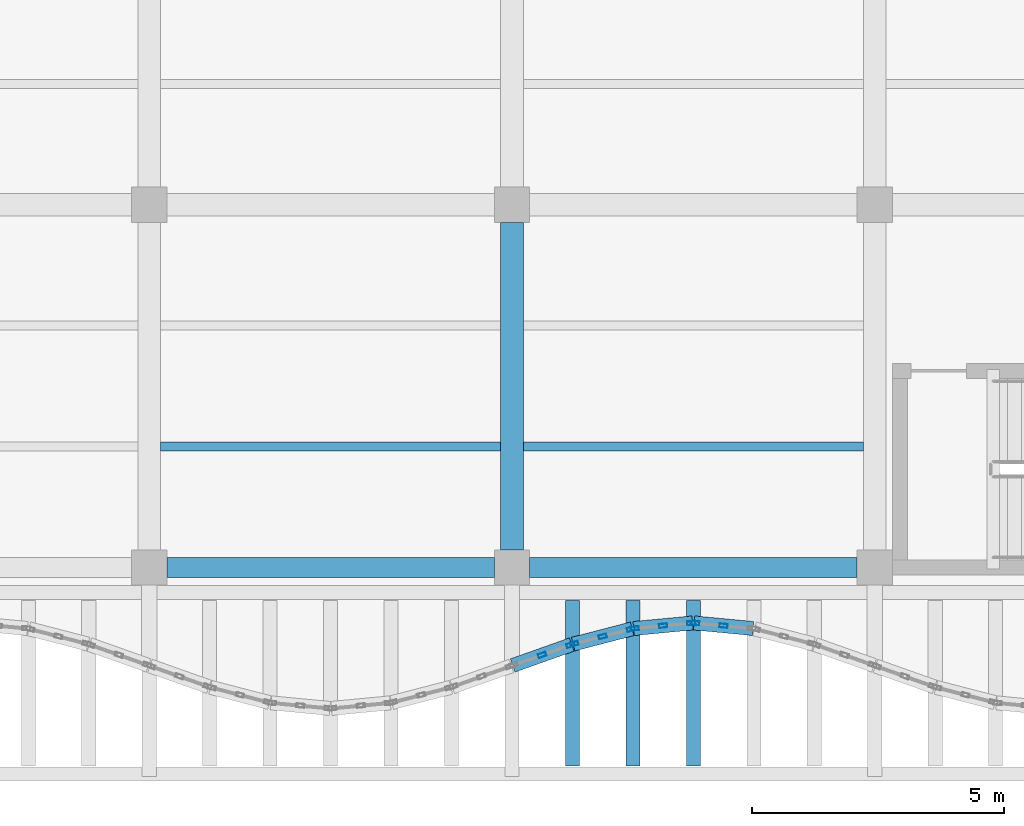
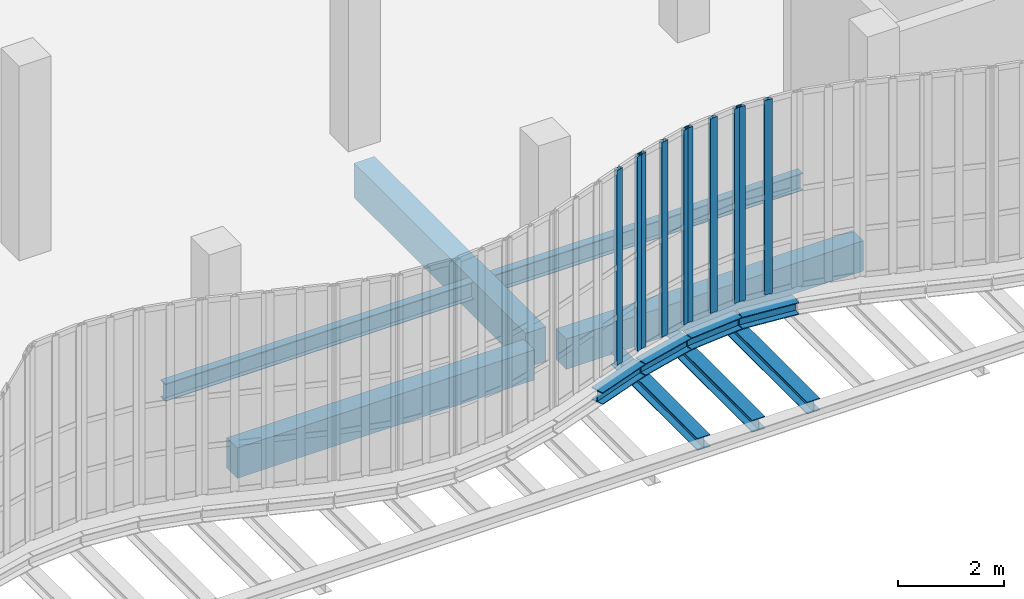
# One storey, part 14 of 108: 12 beams, 10 members, 4 elements without a shape of their own.
"""IFC4 building model written with IfcOpenShell, lengths in metres."""

from ifc_helpers import new_model, si_unit, direction, frame, origin, origin_2d, place, context, subcontext, project, spatial, rectangle, hollow_rectangle, i_section, extrude, material, layer, layer_set, material_profile, profile_set, type_object, element, aggregate, save


model = new_model("IFC4")

# Units and contexts
model_context = context("Model", 3, precision=1e-05, world=origin(), true_north=direction((0.0, 1.0)))
body_context = subcontext(model_context, "Body", "Model", "MODEL_VIEW")
ifc_project = project(units=[si_unit("LENGTHUNIT", "METRE"), si_unit("AREAUNIT", "SQUARE_METRE"), si_unit("VOLUMEUNIT", "CUBIC_METRE"), si_unit("PLANEANGLEUNIT", "RADIAN"), si_unit("MASSUNIT", "GRAM", prefix="KILO"), si_unit("THERMODYNAMICTEMPERATUREUNIT", "KELVIN"), si_unit("POWERUNIT", "WATT")], contexts=[model_context])

# Site, building, storey
site_placement = place(None, origin())
site = spatial("IfcSite", under=ifc_project, at=site_placement, CompositionType="ELEMENT")
building_placement = place(site_placement, origin())
building = spatial("IfcBuilding", under=site, at=building_placement, Name="Kaldorven Railside Theatre", CompositionType="ELEMENT")
storey_placement = place(building_placement, frame((0.0, 0.0, 5.39990234375)))
storey = spatial("IfcBuildingStorey", under=building, at=storey_placement, Name="L01", CompositionType="ELEMENT", Elevation=5.39990234375)

# Beams
ifc_material_1 = material(Name="Steel S355", Category="steel")
ifc_material_profile_1 = material_profile(ifc_material_1, i_section(OverallWidth=0.280029296875, OverallDepth=0.280029296875, WebThickness=0.010498046875, FlangeThickness=0.01806640625, at=origin_2d()), Name="HEB 280")
ifc_profile_set_1 = profile_set([ifc_material_profile_1], Name="Steel S355")
beam_type_1 = type_object("IfcBeamType", Name="BM-HEB280", PredefinedType="SPANDREL", material=ifc_profile_set_1)
beam_1_placement = place(storey_placement, frame((51.214111328125, 17.2548828125, -0.43994140625), z_axis=(0.942627225161, 0.333847142245, 0.0), x_axis=(-0.333847142245, 0.942627225161, 0.0)))
element("IfcBeam", 1, at=beam_1_placement, inside=storey, type_object=beam_type_1, Name="L01 Sinusoidal Flute Edge Spandrel FSB-013", PredefinedType="SPANDREL", context=body_context, shape_type="SweptSolid", body=[
    extrude(i_section(OverallWidth=0.280029296875, OverallDepth=0.280029296875, WebThickness=0.010498046875, FlangeThickness=0.01806640625, at=origin_2d()), origin(), (0.0, 0.0, 1.0), 1.2431640625),
])
beam_2_placement = place(storey_placement, frame((52.41455078125, 17.6787109375, -0.43994140625), z_axis=(0.967967836725, 0.251074226206, 0.0), x_axis=(-0.251074226206, 0.967967836725, 0.0)))
element("IfcBeam", 2, at=beam_2_placement, inside=storey, type_object=beam_type_1, Name="L01 Sinusoidal Flute Edge Spandrel FSB-014", PredefinedType="SPANDREL", context=body_context, shape_type="SweptSolid", body=[
    extrude(i_section(OverallWidth=0.280029296875, OverallDepth=0.280029296875, WebThickness=0.010498046875, FlangeThickness=0.01806640625, at=origin_2d()), origin(), (0.0, 0.0, 1.0), 1.209716796875),
])
beam_3_placement = place(storey_placement, frame((52.39990234375, 15.260009765625, -0.719970703125), z_axis=(0.0, 1.0, 0.0), x_axis=(-1.0, 0.0, 0.0)))
element("IfcBeam", 3, at=beam_3_placement, inside=storey, type_object=beam_type_1, Name="L01 Sinusoidal Diaphragm Rib Outrigger FOB-M014", PredefinedType="SPANDREL", context=body_context, shape_type="SweptSolid", body=[
    extrude(i_section(OverallWidth=0.280029296875, OverallDepth=0.280029296875, WebThickness=0.010498046875, FlangeThickness=0.01806640625, at=origin_2d()), origin(), (0.0, 0.0, 1.0), 3.280029296875),
])
beam_4_placement = place(storey_placement, frame((53.614990234375, 17.987548828125, -0.43994140625), z_axis=(0.99552436473, 0.094505233873, 0.0), x_axis=(-0.094505233873, 0.99552436473, 0.0)))
element("IfcBeam", 4, at=beam_4_placement, inside=storey, type_object=beam_type_1, Name="L01 Sinusoidal Flute Edge Spandrel FSB-015", PredefinedType="SPANDREL", context=body_context, shape_type="SweptSolid", body=[
    extrude(i_section(OverallWidth=0.280029296875, OverallDepth=0.280029296875, WebThickness=0.010498046875, FlangeThickness=0.01806640625, at=origin_2d()), origin(), (0.0, 0.0, 1.0), 1.175537109375),
])
beam_5_placement = place(storey_placement, frame((53.60009765625, 15.260009765625, -0.719970703125), z_axis=(0.0, 1.0, 0.0), x_axis=(-1.0, 0.0, 0.0)))
element("IfcBeam", 5, at=beam_5_placement, inside=storey, type_object=beam_type_1, Name="L01 Sinusoidal Diaphragm Rib Outrigger FOB-M015", PredefinedType="SPANDREL", context=body_context, shape_type="SweptSolid", body=[
    extrude(i_section(OverallWidth=0.280029296875, OverallDepth=0.280029296875, WebThickness=0.010498046875, FlangeThickness=0.01806640625, at=origin_2d()), origin(), (0.0, 0.0, 1.0), 3.280029296875),
])
beam_6_placement = place(storey_placement, frame((54.81494140625, 18.0986328125, -0.43994140625), z_axis=(0.99552436473, -0.094505233873, 0.0), x_axis=(0.094505233873, 0.99552436473, 0.0)))
element("IfcBeam", 6, at=beam_6_placement, inside=storey, type_object=beam_type_1, Name="L01 Sinusoidal Flute Edge Spandrel FSB-016", PredefinedType="SPANDREL", context=body_context, shape_type="SweptSolid", body=[
    extrude(i_section(OverallWidth=0.280029296875, OverallDepth=0.280029296875, WebThickness=0.010498046875, FlangeThickness=0.01806640625, at=origin_2d()), origin(), (0.0, 0.0, 1.0), 1.175537109375),
])
beam_7_placement = place(storey_placement, frame((54.800048828125, 15.260009765625, -0.719970703125), z_axis=(0.0, 1.0, 0.0), x_axis=(-1.0, 0.0, 0.0)))
element("IfcBeam", 7, at=beam_7_placement, inside=storey, type_object=beam_type_1, Name="L01 Sinusoidal Diaphragm Rib Outrigger FOB-M016", PredefinedType="SPANDREL", context=body_context, shape_type="SweptSolid", body=[
    extrude(i_section(OverallWidth=0.280029296875, OverallDepth=0.280029296875, WebThickness=0.010498046875, FlangeThickness=0.01806640625, at=origin_2d()), origin(), (0.0, 0.0, 1.0), 3.280029296875),
])
ifc_material_profile_2 = material_profile(ifc_material_1, i_section(OverallWidth=0.179931640625, OverallDepth=0.39990234375, WebThickness=0.008544921875, FlangeThickness=0.013427734375, at=origin_2d()), Name="IPE 400")
ifc_profile_set_2 = profile_set([ifc_material_profile_2], Name="Steel S355")
beam_type_2 = type_object("IfcBeamType", Name="BM-IPE400", PredefinedType="JOIST", material=ifc_profile_set_2)
for number, where, z_axis, x_axis, name in (
    (8, (44.22509765625, 21.60009765625, -0.5), (1.0, 0.0, 0.0), (0.0, 1.0, 0.0), "L01 Secondary Floor Joist JG-L01-044-0216"),
    (9, (51.425048828125, 21.60009765625, -0.5), (1.0, 0.0, 0.0), (0.0, 1.0, 0.0), "L01 Secondary Floor Joist JG-L01-051-0216"),
):
    element("IfcBeam", number, at=place(storey_placement, frame(where, z_axis=z_axis, x_axis=x_axis)), inside=storey, type_object=beam_type_2, Name=name, PredefinedType="JOIST", context=body_context, shape_type="SweptSolid", body=[
        extrude(i_section(OverallWidth=0.179931640625, OverallDepth=0.39990234375, WebThickness=0.008544921875, FlangeThickness=0.013427734375, at=origin_2d()), origin(), (0.0, 0.0, 1.0), 6.75),
    ])
ifc_material_2 = material(Name="Concrete C40/50", Category="concrete")
ifc_material_profile_3 = material_profile(ifc_material_2, rectangle(XDim=0.39990234375, YDim=0.699951171875, at=origin_2d()), Name="RC 400x700")
ifc_profile_set_3 = profile_set([ifc_material_profile_3], Name="Concrete C40/50")
beam_type_3 = type_object("IfcBeamType", Name="BM-RC400x700", PredefinedType="BEAM", material=ifc_profile_set_3)
for number, where, z_axis, x_axis, name in (
    (10, (44.35009765625, 19.199951171875, -0.64990234375), (1.0, 0.0, 0.0), (0.0, 1.0, 0.0), "L01 Girder BGX-L01-044-019"),
    (11, (51.550048828125, 19.199951171875, -0.64990234375), (1.0, 0.0, 0.0), (0.0, 1.0, 0.0), "L01 Girder BGX-L01-051-019"),
):
    element("IfcBeam", number, at=place(storey_placement, frame(where, z_axis=z_axis, x_axis=x_axis)), inside=storey, type_object=beam_type_3, Name=name, PredefinedType="BEAM", context=body_context, shape_type="SweptSolid", body=[
        extrude(rectangle(XDim=0.39990234375, YDim=0.699951171875, at=origin_2d()), origin(), (0.0, 0.0, 1.0), 6.5),
    ])
ifc_material_profile_4 = material_profile(ifc_material_2, rectangle(XDim=0.449951171875, YDim=0.800048828125, at=origin_2d()), Name="RC 450x800")
ifc_profile_set_4 = profile_set([ifc_material_profile_4], Name="Concrete C40/50")
beam_type_4 = type_object("IfcBeamType", Name="BM-RC450x800", PredefinedType="BEAM", material=ifc_profile_set_4)
beam_8_placement = place(storey_placement, frame((51.199951171875, 19.550048828125, -0.699951171875), z_axis=(0.0, 1.0, 0.0), x_axis=(-1.0, 0.0, 0.0)))
element("IfcBeam", 12, at=beam_8_placement, inside=storey, type_object=beam_type_4, Name="L01 Girder BGY-L01-051-019-72", PredefinedType="BEAM", context=body_context, shape_type="SweptSolid", body=[
    extrude(rectangle(XDim=0.449951171875, YDim=0.800048828125, at=origin_2d()), origin(), (0.0, 0.0, 1.0), 6.5),
])

# Curtain wall, members
ifc_material_3 = material(Name="Low-E laminated solar-control glass", Category="glass")
ifc_layer_1 = layer(ifc_material_3, 0.159912109375, Name="Low-E laminated solar-control glass")
ifc_layer_set_1 = layer_set([ifc_layer_1], Name="Low-E laminated solar-control glass")
curtain_wall_type_1 = type_object("IfcCurtainWallType", Name="CWT-01", PredefinedType="USERDEFINED", material=ifc_layer_set_1)
curtain_wall_1_placement = place(storey_placement, origin())
curtain_wall_1 = element("IfcCurtainWall", 13, at=curtain_wall_1_placement, inside=storey, type_object=curtain_wall_type_1, Name="Sinusoidal Fluted Curtain Wall CW-L01-S13", ObjectType="FLUTED GLAZING", PredefinedType="USERDEFINED")
ifc_material_4 = material(Name="Anodised bronze aluminium", Category="aluminium")
ifc_material_profile_5 = material_profile(ifc_material_4, hollow_rectangle(XDim=0.080078125, YDim=0.159912109375, WallThickness=0.00634765625, at=origin_2d()), Name="RHS 160x80x6.3")
ifc_profile_set_5 = profile_set([ifc_material_profile_5], Name="Anodised bronze aluminium")
member_type = type_object("IfcMemberType", Name="CWM-160", PredefinedType="MULLION", material=ifc_profile_set_5)
member_1_placement = place(storey_placement, frame((51.800048828125, 17.46240234375, 0.0), z_axis=(0.0, 0.0, 1.0), x_axis=(-0.33384714225, 0.942627225159, 0.0)))
member_1 = element("IfcMember", 14, at=member_1_placement, type_object=member_type, Name="CW-L01-S13 mullion 2", PredefinedType="MULLION", context=body_context, shape_type="SweptSolid", body=[
    extrude(hollow_rectangle(XDim=0.080078125, YDim=0.159912109375, WallThickness=0.00634765625, at=origin_2d()), origin(), (0.0, 0.0, 1.0), 4.5),
])
member_2_placement = place(storey_placement, frame((52.3623046875, 17.66162109375, 0.0), z_axis=(0.0, 0.0, 1.0), x_axis=(-0.33384714225, 0.942627225159, 0.0)))
member_2 = element("IfcMember", 15, at=member_2_placement, type_object=member_type, Name="CW-L01-S13 mullion 3", PredefinedType="MULLION", context=body_context, shape_type="SweptSolid", body=[
    extrude(hollow_rectangle(XDim=0.080078125, YDim=0.159912109375, WallThickness=0.00634765625, at=origin_2d()), origin(), (0.0, 0.0, 1.0), 4.5),
])
aggregate(curtain_wall_1, [member_1, member_2])

ifc_layer_2 = layer(ifc_material_3, 0.159912109375, Name="Low-E laminated solar-control glass")
ifc_layer_set_2 = layer_set([ifc_layer_2], Name="Low-E laminated solar-control glass")
curtain_wall_type_2 = type_object("IfcCurtainWallType", Name="CWT-02", PredefinedType="USERDEFINED", material=ifc_layer_set_2)
curtain_wall_2_placement = place(storey_placement, origin())
curtain_wall_2 = element("IfcCurtainWall", 16, at=curtain_wall_2_placement, inside=storey, type_object=curtain_wall_type_2, Name="Sinusoidal Fluted Curtain Wall CW-L01-S14", ObjectType="FLUTED GLAZING", PredefinedType="USERDEFINED")
member_3_placement = place(storey_placement, frame((52.438720703125, 17.68505859375, 0.0), z_axis=(0.0, 0.0, 1.0), x_axis=(-0.250953760326, 0.967999075505, 0.0)))
member_3 = element("IfcMember", 17, at=member_3_placement, type_object=member_type, Name="CW-L01-S14 mullion 1", PredefinedType="MULLION", context=body_context, shape_type="SweptSolid", body=[
    extrude(hollow_rectangle(XDim=0.080078125, YDim=0.159912109375, WallThickness=0.00634765625, at=origin_2d()), origin(), (0.0, 0.0, 1.0), 4.5),
])
member_4_placement = place(storey_placement, frame((53.0, 17.83056640625, 0.0), z_axis=(0.0, 0.0, 1.0), x_axis=(-0.250953760326, 0.967999075505, 0.0)))
member_4 = element("IfcMember", 18, at=member_4_placement, type_object=member_type, Name="CW-L01-S14 mullion 2", PredefinedType="MULLION", context=body_context, shape_type="SweptSolid", body=[
    extrude(hollow_rectangle(XDim=0.080078125, YDim=0.159912109375, WallThickness=0.00634765625, at=origin_2d()), origin(), (0.0, 0.0, 1.0), 4.5),
])
member_5_placement = place(storey_placement, frame((53.561279296875, 17.97607421875, 0.0), z_axis=(0.0, 0.0, 1.0), x_axis=(-0.250953760326, 0.967999075505, 0.0)))
member_5 = element("IfcMember", 19, at=member_5_placement, type_object=member_type, Name="CW-L01-S14 mullion 3", PredefinedType="MULLION", context=body_context, shape_type="SweptSolid", body=[
    extrude(hollow_rectangle(XDim=0.080078125, YDim=0.159912109375, WallThickness=0.00634765625, at=origin_2d()), origin(), (0.0, 0.0, 1.0), 4.5),
])
aggregate(curtain_wall_2, [member_3, member_4, member_5])

ifc_layer_3 = layer(ifc_material_3, 0.159912109375, Name="Low-E laminated solar-control glass")
ifc_layer_set_3 = layer_set([ifc_layer_3], Name="Low-E laminated solar-control glass")
curtain_wall_type_3 = type_object("IfcCurtainWallType", Name="CWT-03", PredefinedType="USERDEFINED", material=ifc_layer_set_3)
curtain_wall_3_placement = place(storey_placement, origin())
curtain_wall_3 = element("IfcCurtainWall", 20, at=curtain_wall_3_placement, inside=storey, type_object=curtain_wall_type_3, Name="Sinusoidal Fluted Curtain Wall CW-L01-S15", ObjectType="FLUTED GLAZING", PredefinedType="USERDEFINED")
member_6_placement = place(storey_placement, frame((53.639892578125, 17.989990234375, 0.0), z_axis=(0.0, 0.0, 1.0), x_axis=(-0.094491973758, 0.995525623425, 0.0)))
member_6 = element("IfcMember", 21, at=member_6_placement, type_object=member_type, Name="CW-L01-S15 mullion 1", PredefinedType="MULLION", context=body_context, shape_type="SweptSolid", body=[
    extrude(hollow_rectangle(XDim=0.080078125, YDim=0.159912109375, WallThickness=0.00634765625, at=origin_2d()), origin(), (0.0, 0.0, 1.0), 4.5),
])
member_7_placement = place(storey_placement, frame((54.199951171875, 18.04296875, 0.0), z_axis=(0.0, 0.0, 1.0), x_axis=(-0.094491973758, 0.995525623425, 0.0)))
member_7 = element("IfcMember", 22, at=member_7_placement, type_object=member_type, Name="CW-L01-S15 mullion 2", PredefinedType="MULLION", context=body_context, shape_type="SweptSolid", body=[
    extrude(hollow_rectangle(XDim=0.080078125, YDim=0.159912109375, WallThickness=0.00634765625, at=origin_2d()), origin(), (0.0, 0.0, 1.0), 4.5),
])
member_8_placement = place(storey_placement, frame((54.76025390625, 18.09619140625, 0.0), z_axis=(0.0, 0.0, 1.0), x_axis=(-0.094491973758, 0.995525623425, 0.0)))
member_8 = element("IfcMember", 23, at=member_8_placement, type_object=member_type, Name="CW-L01-S15 mullion 3", PredefinedType="MULLION", context=body_context, shape_type="SweptSolid", body=[
    extrude(hollow_rectangle(XDim=0.080078125, YDim=0.159912109375, WallThickness=0.00634765625, at=origin_2d()), origin(), (0.0, 0.0, 1.0), 4.5),
])
aggregate(curtain_wall_3, [member_6, member_7, member_8])

curtain_wall_4_placement = place(storey_placement, origin())
curtain_wall_4 = element("IfcCurtainWall", 24, at=curtain_wall_4_placement, inside=storey, type_object=curtain_wall_type_3, Name="Sinusoidal Fluted Curtain Wall CW-L01-S16", ObjectType="FLUTED GLAZING", PredefinedType="USERDEFINED")
member_9_placement = place(storey_placement, frame((54.83984375, 18.09619140625, 0.0), z_axis=(0.0, 0.0, 1.0), x_axis=(0.094491973758, 0.995525623425, 0.0)))
member_9 = element("IfcMember", 25, at=member_9_placement, type_object=member_type, Name="CW-L01-S16 mullion 1", PredefinedType="MULLION", context=body_context, shape_type="SweptSolid", body=[
    extrude(hollow_rectangle(XDim=0.080078125, YDim=0.159912109375, WallThickness=0.00634765625, at=origin_2d()), origin(), (0.0, 0.0, 1.0), 4.5),
])
member_10_placement = place(storey_placement, frame((55.39990234375, 18.04296875, 0.0), z_axis=(0.0, 0.0, 1.0), x_axis=(0.094491973758, 0.995525623425, 0.0)))
member_10 = element("IfcMember", 26, at=member_10_placement, type_object=member_type, Name="CW-L01-S16 mullion 2", PredefinedType="MULLION", context=body_context, shape_type="SweptSolid", body=[
    extrude(hollow_rectangle(XDim=0.080078125, YDim=0.159912109375, WallThickness=0.00634765625, at=origin_2d()), origin(), (0.0, 0.0, 1.0), 4.5),
])
aggregate(curtain_wall_4, [member_9, member_10])

save(model, "model.ifc")
